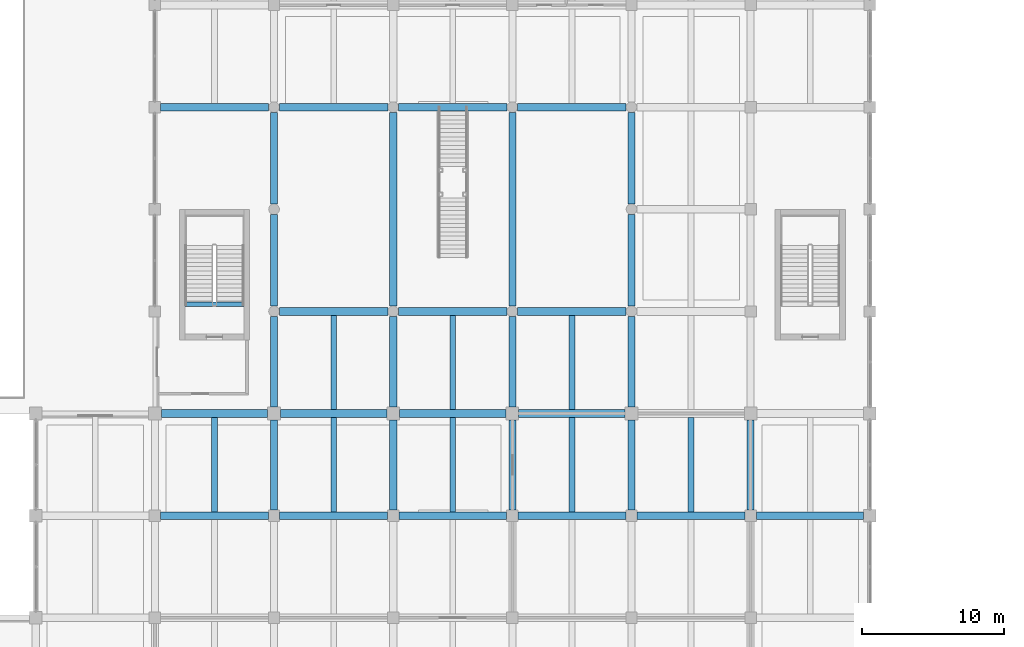
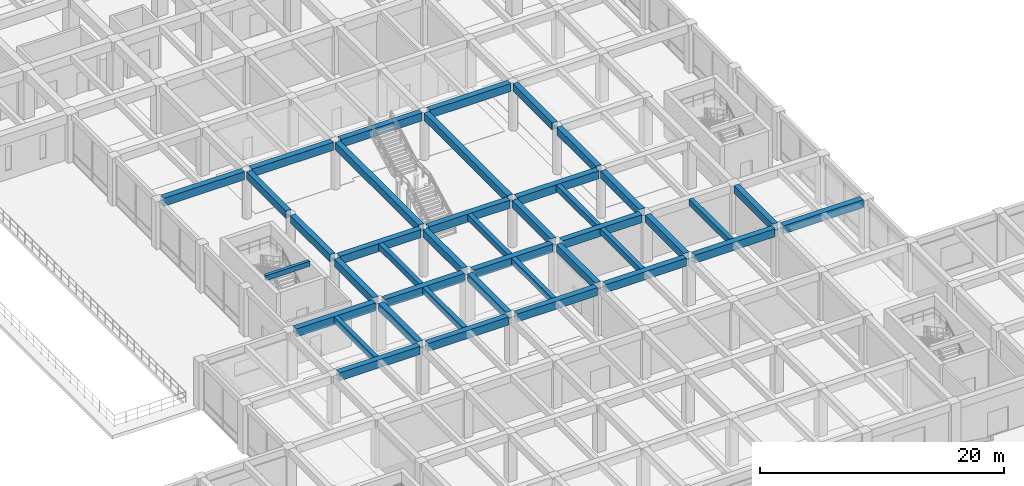
# One storey, part 10 of 49: 41 beams.
"""IFC4 building model written with IfcOpenShell, lengths in metres."""

from ifc_helpers import new_model, si_unit, direction, frame, origin, origin_2d, place, context, subcontext, project, spatial, rectangle, extrude, material, material_profile, profile_set, type_object, element, save


model = new_model("IFC4")

# Units and contexts
model_context = context("Model", 3, precision=1e-05, world=origin(), true_north=direction((0.0, 1.0)))
body_context = subcontext(model_context, "Body", "Model", "MODEL_VIEW")
ifc_project = project(units=[si_unit("LENGTHUNIT", "METRE"), si_unit("AREAUNIT", "SQUARE_METRE"), si_unit("VOLUMEUNIT", "CUBIC_METRE"), si_unit("PLANEANGLEUNIT", "RADIAN"), si_unit("MASSUNIT", "GRAM", prefix="KILO")], contexts=[model_context])

# Site, building, storey
site_placement = place(None, origin())
site = spatial("IfcSite", under=ifc_project, at=site_placement, CompositionType="ELEMENT")
building_placement = place(site_placement, origin())
building = spatial("IfcBuilding", under=site, at=building_placement, Name="Kenerak Square Central Library", CompositionType="ELEMENT")
storey_placement = place(building_placement, origin())
storey = spatial("IfcBuildingStorey", under=building, at=storey_placement, Name="L00", CompositionType="ELEMENT", Elevation=0.0)

# Beams
ifc_material = material(Name="Concrete C40/50", Category="concrete")
ifc_material_profile_1 = material_profile(ifc_material, rectangle(XDim=0.300048828125, YDim=0.5, at=origin_2d()), Name="RC 300x500")
ifc_profile_set_1 = profile_set([ifc_material_profile_1], Name="Concrete C40/50")
beam_type_1 = type_object("IfcBeamType", Name="Landing Support Beam B-08 RC 300x500 C40/50", PredefinedType="BEAM", material=ifc_profile_set_1)
beam_1_placement = place(storey_placement, frame((68.919921875, 60.510009765625, 4.550048828125), z_axis=(1.0, 0.0, 0.0), x_axis=(0.0, 1.0, 0.0)))
element("IfcBeam", 1, at=beam_1_placement, inside=storey, type_object=beam_type_1, Name="Stair Threshold Beam B-08 ST-08 L01", PredefinedType="BEAM", context=body_context, shape_type="SweptSolid", body=[
    extrude(rectangle(XDim=0.300048828125, YDim=0.5, at=origin_2d()), origin(), (0.0, 0.0, 1.0), 4.16015625),
])
ifc_material_profile_2 = material_profile(ifc_material, rectangle(XDim=0.550048828125, YDim=0.800048828125, at=origin_2d()), Name="RC 550x800")
ifc_profile_set_2 = profile_set([ifc_material_profile_2], Name="Concrete C40/50")
beam_type_2 = type_object("IfcBeamType", Name="Primary Reading Beam B-04 RC 550x800 C40/50", PredefinedType="BEAM", material=ifc_profile_set_2)
beam_2_placement = place(storey_placement, frame((67.199951171875, 45.60009765625, 4.39990234375), z_axis=(1.0, 0.0, 0.0), x_axis=(0.0, 1.0, 0.0)))
element("IfcBeam", 2, at=beam_2_placement, inside=storey, type_object=beam_type_2, Name="Beam B-04 L00 0508", PredefinedType="BEAM", context=body_context, shape_type="SweptSolid", body=[
    extrude(rectangle(XDim=0.550048828125, YDim=0.800048828125, at=origin_2d()), origin(), (0.0, 0.0, 1.0), 7.60009765625),
])
beam_3_placement = place(storey_placement, frame((75.60009765625, 45.60009765625, 4.39990234375), z_axis=(1.0, 0.0, 0.0), x_axis=(0.0, 1.0, 0.0)))
element("IfcBeam", 3, at=beam_3_placement, inside=storey, type_object=beam_type_2, Name="Beam B-04 L00 0509", PredefinedType="BEAM", context=body_context, shape_type="SweptSolid", body=[
    extrude(rectangle(XDim=0.550048828125, YDim=0.800048828125, at=origin_2d()), origin(), (0.0, 0.0, 1.0), 7.599853515625),
])
for number, where, z_axis, x_axis, name in (
    (4, (84.0, 45.60009765625, 4.39990234375), (1.0, 0.0, 0.0), (0.0, 1.0, 0.0), "Beam B-04 L00 0510"),
    (5, (92.39990234375, 45.60009765625, 4.39990234375), (1.0, 0.0, 0.0), (0.0, 1.0, 0.0), "Beam B-04 L00 0511"),
):
    element("IfcBeam", number, at=place(storey_placement, frame(where, z_axis=z_axis, x_axis=x_axis)), inside=storey, type_object=beam_type_2, Name=name, PredefinedType="BEAM", context=body_context, shape_type="SweptSolid", body=[
        extrude(rectangle(XDim=0.550048828125, YDim=0.800048828125, at=origin_2d()), origin(), (0.0, 0.0, 1.0), 7.60009765625),
    ])
beam_4_placement = place(storey_placement, frame((100.800048828125, 45.60009765625, 4.39990234375), z_axis=(1.0, 0.0, 0.0), x_axis=(0.0, 1.0, 0.0)))
element("IfcBeam", 6, at=beam_4_placement, inside=storey, type_object=beam_type_2, Name="Beam B-04 L00 0512", PredefinedType="BEAM", context=body_context, shape_type="SweptSolid", body=[
    extrude(rectangle(XDim=0.550048828125, YDim=0.800048828125, at=origin_2d()), origin(), (0.0, 0.0, 1.0), 7.599853515625),
])
beam_5_placement = place(storey_placement, frame((109.199951171875, 45.60009765625, 4.39990234375), z_axis=(1.0, 0.0, 0.0), x_axis=(0.0, 1.0, 0.0)))
element("IfcBeam", 7, at=beam_5_placement, inside=storey, type_object=beam_type_2, Name="Beam B-04 L00 0513", PredefinedType="BEAM", context=body_context, shape_type="SweptSolid", body=[
    extrude(rectangle(XDim=0.550048828125, YDim=0.800048828125, at=origin_2d()), origin(), (0.0, 0.0, 1.0), 7.550048828125),
])
for number, where, z_axis, x_axis, name in (
    (8, (67.25, 52.800048828125, 4.39990234375), (1.0, 0.0, 0.0), (0.0, 1.0, 0.0), "Beam B-04 L00 0517"),
    (9, (75.64990234375, 52.800048828125, 4.39990234375), (1.0, 0.0, 0.0), (0.0, 1.0, 0.0), "Beam B-04 L00 0518"),
    (10, (84.050048828125, 52.800048828125, 4.39990234375), (1.0, 0.0, 0.0), (0.0, 1.0, 0.0), "Beam B-04 L00 0519"),
    (11, (92.449951171875, 52.800048828125, 4.39990234375), (1.0, 0.0, 0.0), (0.0, 1.0, 0.0), "Beam B-04 L00 0520"),
):
    element("IfcBeam", number, at=place(storey_placement, frame(where, z_axis=z_axis, x_axis=x_axis)), inside=storey, type_object=beam_type_2, Name=name, PredefinedType="BEAM", context=body_context, shape_type="SweptSolid", body=[
        extrude(rectangle(XDim=0.550048828125, YDim=0.800048828125, at=origin_2d()), origin(), (0.0, 0.0, 1.0), 7.5),
    ])
beam_6_placement = place(storey_placement, frame((75.574951171875, 60.0, 4.39990234375), z_axis=(1.0, 0.0, 0.0), x_axis=(0.0, 1.0, 0.0)))
element("IfcBeam", 12, at=beam_6_placement, inside=storey, type_object=beam_type_2, Name="Beam B-04 L00 0526", PredefinedType="BEAM", context=body_context, shape_type="SweptSolid", body=[
    extrude(rectangle(XDim=0.550048828125, YDim=0.800048828125, at=origin_2d()), origin(), (0.0, 0.0, 1.0), 7.650146484375),
])
for number, where, z_axis, x_axis, name in (
    (13, (83.97509765625, 60.0, 4.39990234375), (1.0, 0.0, 0.0), (0.0, 1.0, 0.0), "Beam B-04 L00 0527"),
    (14, (92.375, 60.0, 4.39990234375), (1.0, 0.0, 0.0), (0.0, 1.0, 0.0), "Beam B-04 L00 0528"),
):
    element("IfcBeam", number, at=place(storey_placement, frame(where, z_axis=z_axis, x_axis=x_axis)), inside=storey, type_object=beam_type_2, Name=name, PredefinedType="BEAM", context=body_context, shape_type="SweptSolid", body=[
        extrude(rectangle(XDim=0.550048828125, YDim=0.800048828125, at=origin_2d()), origin(), (0.0, 0.0, 1.0), 7.64990234375),
    ])
beam_7_placement = place(storey_placement, frame((67.199951171875, 74.39990234375, 4.39990234375), z_axis=(1.0, 0.0, 0.0), x_axis=(0.0, 1.0, 0.0)))
element("IfcBeam", 15, at=beam_7_placement, inside=storey, type_object=beam_type_2, Name="Beam B-04 L00 0540", PredefinedType="BEAM", context=body_context, shape_type="SweptSolid", body=[
    extrude(rectangle(XDim=0.550048828125, YDim=0.800048828125, at=origin_2d()), origin(), (0.0, 0.0, 1.0), 7.625),
])
beam_8_placement = place(storey_placement, frame((75.574951171875, 74.39990234375, 4.39990234375), z_axis=(1.0, 0.0, 0.0), x_axis=(0.0, 1.0, 0.0)))
element("IfcBeam", 16, at=beam_8_placement, inside=storey, type_object=beam_type_2, Name="Beam B-04 L00 0541", PredefinedType="BEAM", context=body_context, shape_type="SweptSolid", body=[
    extrude(rectangle(XDim=0.550048828125, YDim=0.800048828125, at=origin_2d()), origin(), (0.0, 0.0, 1.0), 7.650146484375),
])
for number, where, z_axis, x_axis, name in (
    (17, (83.97509765625, 74.39990234375, 4.39990234375), (1.0, 0.0, 0.0), (0.0, 1.0, 0.0), "Beam B-04 L00 0542"),
    (18, (92.375, 74.39990234375, 4.39990234375), (1.0, 0.0, 0.0), (0.0, 1.0, 0.0), "Beam B-04 L00 0543"),
):
    element("IfcBeam", number, at=place(storey_placement, frame(where, z_axis=z_axis, x_axis=x_axis)), inside=storey, type_object=beam_type_2, Name=name, PredefinedType="BEAM", context=body_context, shape_type="SweptSolid", body=[
        extrude(rectangle(XDim=0.550048828125, YDim=0.800048828125, at=origin_2d()), origin(), (0.0, 0.0, 1.0), 7.64990234375),
    ])
ifc_material_profile_3 = material_profile(ifc_material, rectangle(XDim=0.39990234375, YDim=0.60009765625, at=origin_2d()), Name="RC 400x600")
ifc_profile_set_3 = profile_set([ifc_material_profile_3], Name="Concrete C40/50")
beam_type_3 = type_object("IfcBeamType", Name="Secondary Floor Joist J-01 RC 400x600 C40/50", PredefinedType="JOIST", material=ifc_profile_set_3)
for number, where, z_axis, x_axis, name in (
    (19, (71.0, 45.875, 4.5), (0.0, 1.0, 0.0), (-1.0, 0.0, 0.0), "Joist J-01 L00 0771"),
    (20, (79.39990234375, 45.875, 4.5), (0.0, 1.0, 0.0), (-1.0, 0.0, 0.0), "Joist J-01 L00 0781"),
):
    element("IfcBeam", number, at=place(storey_placement, frame(where, z_axis=z_axis, x_axis=x_axis)), inside=storey, type_object=beam_type_3, Name=name, PredefinedType="JOIST", context=body_context, shape_type="SweptSolid", body=[
        extrude(rectangle(XDim=0.39990234375, YDim=0.60009765625, at=origin_2d()), origin(), (0.0, 0.0, 1.0), 6.64990234375),
    ])
beam_9_placement = place(storey_placement, frame((79.39990234375, 53.074951171875, 4.5), z_axis=(0.0, 1.0, 0.0), x_axis=(-1.0, 0.0, 0.0)))
element("IfcBeam", 21, at=beam_9_placement, inside=storey, type_object=beam_type_3, Name="Joist J-01 L00 0782", PredefinedType="JOIST", context=body_context, shape_type="SweptSolid", body=[
    extrude(rectangle(XDim=0.39990234375, YDim=0.60009765625, at=origin_2d()), origin(), (0.0, 0.0, 1.0), 6.650146484375),
])
beam_10_placement = place(storey_placement, frame((87.800048828125, 45.875, 4.5), z_axis=(0.0, 1.0, 0.0), x_axis=(-1.0, 0.0, 0.0)))
element("IfcBeam", 22, at=beam_10_placement, inside=storey, type_object=beam_type_3, Name="Joist J-01 L00 0792", PredefinedType="JOIST", context=body_context, shape_type="SweptSolid", body=[
    extrude(rectangle(XDim=0.39990234375, YDim=0.60009765625, at=origin_2d()), origin(), (0.0, 0.0, 1.0), 6.64990234375),
])
beam_11_placement = place(storey_placement, frame((87.800048828125, 53.074951171875, 4.5), z_axis=(0.0, 1.0, 0.0), x_axis=(-1.0, 0.0, 0.0)))
element("IfcBeam", 23, at=beam_11_placement, inside=storey, type_object=beam_type_3, Name="Joist J-01 L00 0793", PredefinedType="JOIST", context=body_context, shape_type="SweptSolid", body=[
    extrude(rectangle(XDim=0.39990234375, YDim=0.60009765625, at=origin_2d()), origin(), (0.0, 0.0, 1.0), 6.650146484375),
])
beam_12_placement = place(storey_placement, frame((96.199951171875, 45.875, 4.5), z_axis=(0.0, 1.0, 0.0), x_axis=(-1.0, 0.0, 0.0)))
element("IfcBeam", 24, at=beam_12_placement, inside=storey, type_object=beam_type_3, Name="Joist J-01 L00 0801", PredefinedType="JOIST", context=body_context, shape_type="SweptSolid", body=[
    extrude(rectangle(XDim=0.39990234375, YDim=0.60009765625, at=origin_2d()), origin(), (0.0, 0.0, 1.0), 6.64990234375),
])
beam_13_placement = place(storey_placement, frame((96.199951171875, 53.074951171875, 4.5), z_axis=(0.0, 1.0, 0.0), x_axis=(-1.0, 0.0, 0.0)))
element("IfcBeam", 25, at=beam_13_placement, inside=storey, type_object=beam_type_3, Name="Joist J-01 L00 0802", PredefinedType="JOIST", context=body_context, shape_type="SweptSolid", body=[
    extrude(rectangle(XDim=0.39990234375, YDim=0.60009765625, at=origin_2d()), origin(), (0.0, 0.0, 1.0), 6.650146484375),
])
beam_14_placement = place(storey_placement, frame((104.60009765625, 45.875, 4.5), z_axis=(0.0, 1.0, 0.0), x_axis=(-1.0, 0.0, 0.0)))
element("IfcBeam", 26, at=beam_14_placement, inside=storey, type_object=beam_type_3, Name="Joist J-01 L00 0813", PredefinedType="JOIST", context=body_context, shape_type="SweptSolid", body=[
    extrude(rectangle(XDim=0.39990234375, YDim=0.60009765625, at=origin_2d()), origin(), (0.0, 0.0, 1.0), 6.64990234375),
])
ifc_material_profile_4 = material_profile(ifc_material, rectangle(XDim=0.5, YDim=0.75, at=origin_2d()), Name="RC 500x750")
ifc_profile_set_4 = profile_set([ifc_material_profile_4], Name="Concrete C40/50")
beam_type_4 = type_object("IfcBeamType", Name="Transverse Frame Beam B-05 RC 500x750 C40/50", PredefinedType="BEAM", material=ifc_profile_set_4)
beam_15_placement = place(storey_placement, frame((75.199951171875, 46.0, 4.425048828125), z_axis=(0.0, 1.0, 0.0), x_axis=(-1.0, 0.0, 0.0)))
element("IfcBeam", 27, at=beam_15_placement, inside=storey, type_object=beam_type_4, Name="Beam B-05 L00 0639", PredefinedType="BEAM", context=body_context, shape_type="SweptSolid", body=[
    extrude(rectangle(XDim=0.5, YDim=0.75, at=origin_2d()), origin(), (0.0, 0.0, 1.0), 6.35009765625),
])
beam_16_placement = place(storey_placement, frame((75.199951171875, 53.25, 4.425048828125), z_axis=(0.0, 1.0, 0.0), x_axis=(-1.0, 0.0, 0.0)))
element("IfcBeam", 28, at=beam_16_placement, inside=storey, type_object=beam_type_4, Name="Beam B-05 L00 0640", PredefinedType="BEAM", context=body_context, shape_type="SweptSolid", body=[
    extrude(rectangle(XDim=0.5, YDim=0.75, at=origin_2d()), origin(), (0.0, 0.0, 1.0), 6.375),
])
for number, where, z_axis, x_axis, name in (
    (29, (75.199951171875, 60.375, 4.425048828125), (0.0, 1.0, 0.0), (-1.0, 0.0, 0.0), "Beam B-05 L00 0641"),
    (30, (75.199951171875, 67.574951171875, 4.425048828125), (0.0, 1.0, 0.0), (-1.0, 0.0, 0.0), "Beam B-05 L00 0642"),
):
    element("IfcBeam", number, at=place(storey_placement, frame(where, z_axis=z_axis, x_axis=x_axis)), inside=storey, type_object=beam_type_4, Name=name, PredefinedType="BEAM", context=body_context, shape_type="SweptSolid", body=[
        extrude(rectangle(XDim=0.5, YDim=0.75, at=origin_2d()), origin(), (0.0, 0.0, 1.0), 6.449951171875),
    ])
beam_17_placement = place(storey_placement, frame((83.60009765625, 46.0, 4.425048828125), z_axis=(0.0, 1.0, 0.0), x_axis=(-1.0, 0.0, 0.0)))
element("IfcBeam", 31, at=beam_17_placement, inside=storey, type_object=beam_type_4, Name="Beam B-05 L00 0653", PredefinedType="BEAM", context=body_context, shape_type="SweptSolid", body=[
    extrude(rectangle(XDim=0.5, YDim=0.75, at=origin_2d()), origin(), (0.0, 0.0, 1.0), 6.35009765625),
])
beam_18_placement = place(storey_placement, frame((83.60009765625, 53.25, 4.425048828125), z_axis=(0.0, 1.0, 0.0), x_axis=(-1.0, 0.0, 0.0)))
element("IfcBeam", 32, at=beam_18_placement, inside=storey, type_object=beam_type_4, Name="Beam B-05 L00 0654", PredefinedType="BEAM", context=body_context, shape_type="SweptSolid", body=[
    extrude(rectangle(XDim=0.5, YDim=0.75, at=origin_2d()), origin(), (0.0, 0.0, 1.0), 6.375),
])
beam_19_placement = place(storey_placement, frame((83.60009765625, 60.375, 4.425048828125), z_axis=(0.0, 1.0, 0.0), x_axis=(-1.0, 0.0, 0.0)))
element("IfcBeam", 33, at=beam_19_placement, inside=storey, type_object=beam_type_4, Name="Beam B-05 L00 0655", PredefinedType="BEAM", context=body_context, shape_type="SweptSolid", body=[
    extrude(rectangle(XDim=0.5, YDim=0.75, at=origin_2d()), origin(), (0.0, 0.0, 1.0), 13.64990234375),
])
beam_20_placement = place(storey_placement, frame((92.0, 46.0, 4.425048828125), z_axis=(0.0, 1.0, 0.0), x_axis=(-1.0, 0.0, 0.0)))
element("IfcBeam", 34, at=beam_20_placement, inside=storey, type_object=beam_type_4, Name="Beam B-05 L00 0666", PredefinedType="BEAM", context=body_context, shape_type="SweptSolid", body=[
    extrude(rectangle(XDim=0.5, YDim=0.75, at=origin_2d()), origin(), (0.0, 0.0, 1.0), 6.35009765625),
])
beam_21_placement = place(storey_placement, frame((92.0, 53.25, 4.425048828125), z_axis=(0.0, 1.0, 0.0), x_axis=(-1.0, 0.0, 0.0)))
element("IfcBeam", 35, at=beam_21_placement, inside=storey, type_object=beam_type_4, Name="Beam B-05 L00 0667", PredefinedType="BEAM", context=body_context, shape_type="SweptSolid", body=[
    extrude(rectangle(XDim=0.5, YDim=0.75, at=origin_2d()), origin(), (0.0, 0.0, 1.0), 6.375),
])
beam_22_placement = place(storey_placement, frame((92.0, 60.375, 4.425048828125), z_axis=(0.0, 1.0, 0.0), x_axis=(-1.0, 0.0, 0.0)))
element("IfcBeam", 36, at=beam_22_placement, inside=storey, type_object=beam_type_4, Name="Beam B-05 L00 0668", PredefinedType="BEAM", context=body_context, shape_type="SweptSolid", body=[
    extrude(rectangle(XDim=0.5, YDim=0.75, at=origin_2d()), origin(), (0.0, 0.0, 1.0), 13.64990234375),
])
beam_23_placement = place(storey_placement, frame((100.39990234375, 46.0, 4.425048828125), z_axis=(0.0, 1.0, 0.0), x_axis=(-1.0, 0.0, 0.0)))
element("IfcBeam", 37, at=beam_23_placement, inside=storey, type_object=beam_type_4, Name="Beam B-05 L00 0679", PredefinedType="BEAM", context=body_context, shape_type="SweptSolid", body=[
    extrude(rectangle(XDim=0.5, YDim=0.75, at=origin_2d()), origin(), (0.0, 0.0, 1.0), 6.35009765625),
])
beam_24_placement = place(storey_placement, frame((100.39990234375, 53.25, 4.425048828125), z_axis=(0.0, 1.0, 0.0), x_axis=(-1.0, 0.0, 0.0)))
element("IfcBeam", 38, at=beam_24_placement, inside=storey, type_object=beam_type_4, Name="Beam B-05 L00 0680", PredefinedType="BEAM", context=body_context, shape_type="SweptSolid", body=[
    extrude(rectangle(XDim=0.5, YDim=0.75, at=origin_2d()), origin(), (0.0, 0.0, 1.0), 6.375),
])
for number, where, z_axis, x_axis, name in (
    (39, (100.39990234375, 60.375, 4.425048828125), (0.0, 1.0, 0.0), (-1.0, 0.0, 0.0), "Beam B-05 L00 0681"),
    (40, (100.39990234375, 67.574951171875, 4.425048828125), (0.0, 1.0, 0.0), (-1.0, 0.0, 0.0), "Beam B-05 L00 0682"),
):
    element("IfcBeam", number, at=place(storey_placement, frame(where, z_axis=z_axis, x_axis=x_axis)), inside=storey, type_object=beam_type_4, Name=name, PredefinedType="BEAM", context=body_context, shape_type="SweptSolid", body=[
        extrude(rectangle(XDim=0.5, YDim=0.75, at=origin_2d()), origin(), (0.0, 0.0, 1.0), 6.449951171875),
    ])
beam_25_placement = place(storey_placement, frame((108.800048828125, 46.0, 4.425048828125), z_axis=(0.0, 1.0, 0.0), x_axis=(-1.0, 0.0, 0.0)))
element("IfcBeam", 41, at=beam_25_placement, inside=storey, type_object=beam_type_4, Name="Beam B-05 L00 0693", PredefinedType="BEAM", context=body_context, shape_type="SweptSolid", body=[
    extrude(rectangle(XDim=0.5, YDim=0.75, at=origin_2d()), origin(), (0.0, 0.0, 1.0), 6.35009765625),
])

save(model, "model.ifc")
